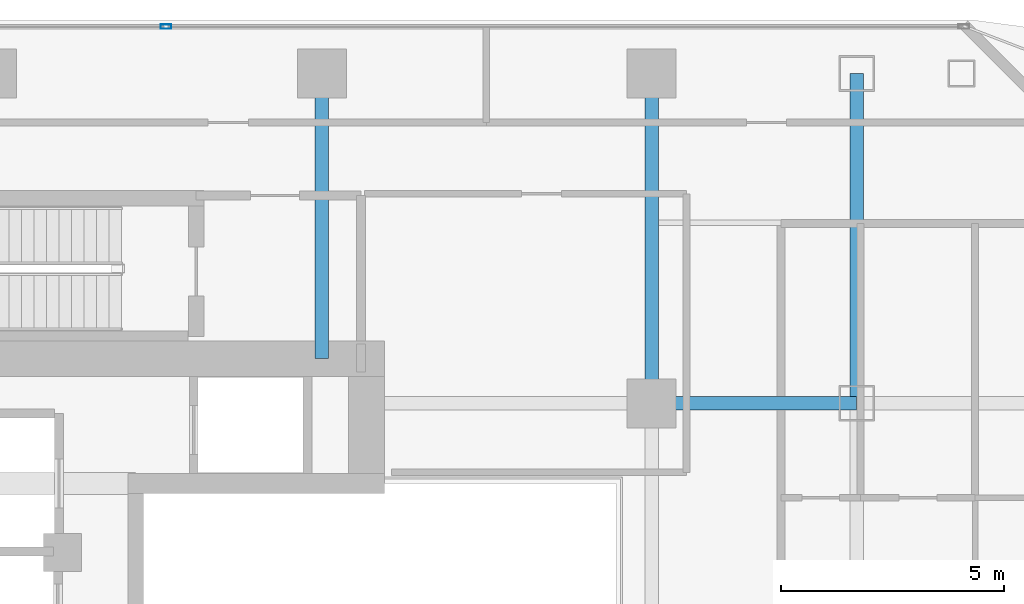
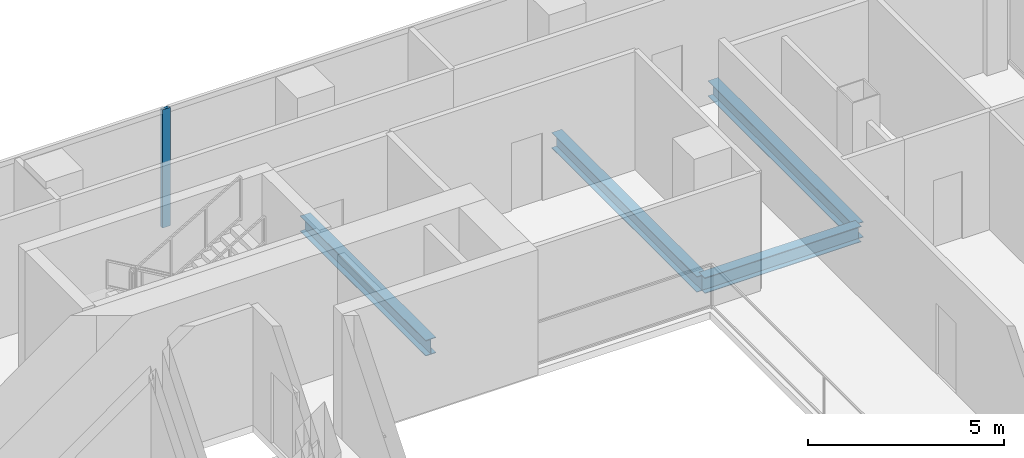
# One storey, part 16 of 26: 4 beams, 1 member, 1 element without a shape of its own.
"""IFC4 building model written with IfcOpenShell, lengths in metres."""

from ifc_helpers import new_model, si_unit, direction, frame, origin, origin_2d, place, context, subcontext, project, spatial, hollow_rectangle, i_section, extrude, material, layer, layer_set, material_profile, profile_set, type_object, element, aggregate, save


model = new_model("IFC4")

# Units and contexts
model_context = context("Model", 3, precision=1e-05, world=origin(), true_north=direction((0.0, 1.0)))
body_context = subcontext(model_context, "Body", "Model", "MODEL_VIEW")
ifc_project = project(units=[si_unit("LENGTHUNIT", "METRE"), si_unit("AREAUNIT", "SQUARE_METRE"), si_unit("VOLUMEUNIT", "CUBIC_METRE"), si_unit("PLANEANGLEUNIT", "RADIAN"), si_unit("MASSUNIT", "GRAM", prefix="KILO")], contexts=[model_context])

# Site, building, storey
site_placement = place(None, origin())
site = spatial("IfcSite", under=ifc_project, at=site_placement, CompositionType="ELEMENT")
building_placement = place(site_placement, origin())
building = spatial("IfcBuilding", under=site, at=building_placement, Name="Khorvyn Point Tower", CompositionType="ELEMENT")
storey_placement = place(building_placement, frame((0.0, 0.0, 223.5)))
storey = spatial("IfcBuildingStorey", under=building, at=storey_placement, Name="L55", CompositionType="ELEMENT", Elevation=223.5)

# Curtain wall, member
ifc_material_1 = material(Name="Anodised aluminium 6063-T6 and laminated Low-E glass", Category="aluminium")
ifc_layer = layer(ifc_material_1, 0.18994140625)
ifc_layer_set = layer_set([ifc_layer], Name="Stick-Built Acoustic Curtain Wall CW-SYS-03")
curtain_wall_type = type_object("IfcCurtainWallType", Name="Stick-Built Acoustic Curtain Wall CW-SYS-03", PredefinedType="NOTDEFINED", material=ifc_layer_set)
curtain_wall_placement = place(storey_placement, origin())
curtain_wall = element("IfcCurtainWall", 1, at=curtain_wall_placement, inside=storey, type_object=curtain_wall_type, Name="Curtain Wall", PredefinedType="NOTDEFINED")
ifc_material_2 = material(Name="Anodised aluminium 6063-T6", Category="aluminium")
ifc_material_profile_1 = material_profile(ifc_material_2, hollow_rectangle(XDim=0.10009765625, YDim=0.239990234375, WallThickness=0.0048828125, at=origin_2d()))
ifc_profile_set_1 = profile_set([ifc_material_profile_1], Name="Anodised aluminium 6063-T6 ALU-MUL-100x240")
member_type = type_object("IfcMemberType", Name="Anodised Aluminium 6063-T6 Mullion ALU-MUL-100x240", PredefinedType="MULLION", material=ifc_profile_set_1)
member_placement = place(storey_placement, frame((3.89990234375, 15.85009765625, 0.0), z_axis=(0.0, 0.0, 1.0), x_axis=(0.0, 1.0, 0.0)))
member = element("IfcMember", 2, at=member_placement, type_object=member_type, Name="Transom", PredefinedType="MULLION", context=body_context, shape_type="SweptSolid", body=[
    extrude(hollow_rectangle(XDim=0.10009765625, YDim=0.239990234375, WallThickness=0.0048828125, at=origin_2d()), origin(), (0.0, 0.0, 1.0), 3.679931640625),
])
aggregate(curtain_wall, [member])

# Beams
ifc_material_3 = material(Name="Steel S355", Category="steel")
ifc_material_profile_2 = material_profile(ifc_material_3, i_section(OverallWidth=0.300048828125, OverallDepth=0.488037109375, WebThickness=0.010986328125, FlangeThickness=0.01806640625, at=origin_2d()))
ifc_profile_set_2 = profile_set([ifc_material_profile_2], Name="Steel S355 H488x300x11x18")
beam_type = type_object("IfcBeamType", Name="Steel S355 Spandrel H488x300x11x18", PredefinedType="SPANDREL", material=ifc_profile_set_2)
beam_1_placement = place(storey_placement, frame((14.800048828125, 7.39990234375, -0.464111328125), z_axis=(1.0, 0.0, 0.0), x_axis=(0.0, 1.0, 0.0)))
element("IfcBeam", 3, at=beam_1_placement, inside=storey, type_object=beam_type, Name="Beam", PredefinedType="SPANDREL", context=body_context, shape_type="SweptSolid", body=[
    extrude(i_section(OverallWidth=0.300048828125, OverallDepth=0.488037109375, WebThickness=0.010986328125, FlangeThickness=0.01806640625, at=origin_2d()), origin(), (0.0, 0.0, 1.0), 4.599853515625),
])
beam_2_placement = place(storey_placement, frame((14.800048828125, 7.39990234375, -0.464111328125), z_axis=(0.0, 1.0, 0.0), x_axis=(-1.0, 0.0, 0.0)))
element("IfcBeam", 4, at=beam_2_placement, inside=storey, type_object=beam_type, Name="Beam", PredefinedType="SPANDREL", context=body_context, shape_type="SweptSolid", body=[
    extrude(i_section(OverallWidth=0.300048828125, OverallDepth=0.488037109375, WebThickness=0.010986328125, FlangeThickness=0.01806640625, at=origin_2d()), origin(), (0.0, 0.0, 1.0), 7.400146484375),
])
beam_3_placement = place(storey_placement, frame((7.39990234375, 8.39990234375, -0.464111328125), z_axis=(0.0, 1.0, 0.0), x_axis=(-1.0, 0.0, 0.0)))
element("IfcBeam", 5, at=beam_3_placement, inside=storey, type_object=beam_type, Name="Beam", PredefinedType="SPANDREL", context=body_context, shape_type="SweptSolid", body=[
    extrude(i_section(OverallWidth=0.300048828125, OverallDepth=0.488037109375, WebThickness=0.010986328125, FlangeThickness=0.01806640625, at=origin_2d()), origin(), (0.0, 0.0, 1.0), 6.400146484375),
])
beam_4_placement = place(storey_placement, frame((19.39990234375, 7.39990234375, -0.464111328125), z_axis=(0.0, 1.0, 0.0), x_axis=(-1.0, 0.0, 0.0)))
element("IfcBeam", 6, at=beam_4_placement, inside=storey, type_object=beam_type, Name="Beam", PredefinedType="SPANDREL", context=body_context, shape_type="SweptSolid", body=[
    extrude(i_section(OverallWidth=0.300048828125, OverallDepth=0.488037109375, WebThickness=0.010986328125, FlangeThickness=0.01806640625, at=origin_2d()), origin(), (0.0, 0.0, 1.0), 7.400146484375),
])

save(model, "model.ifc")
